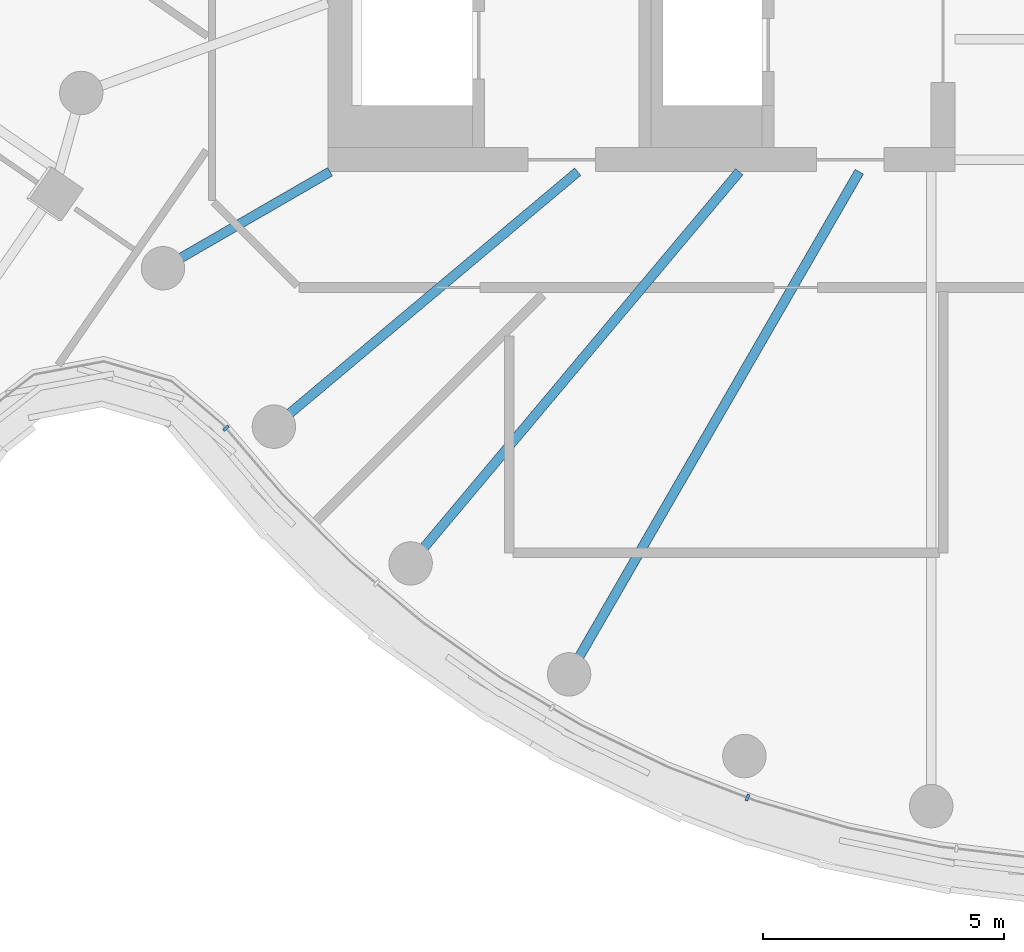
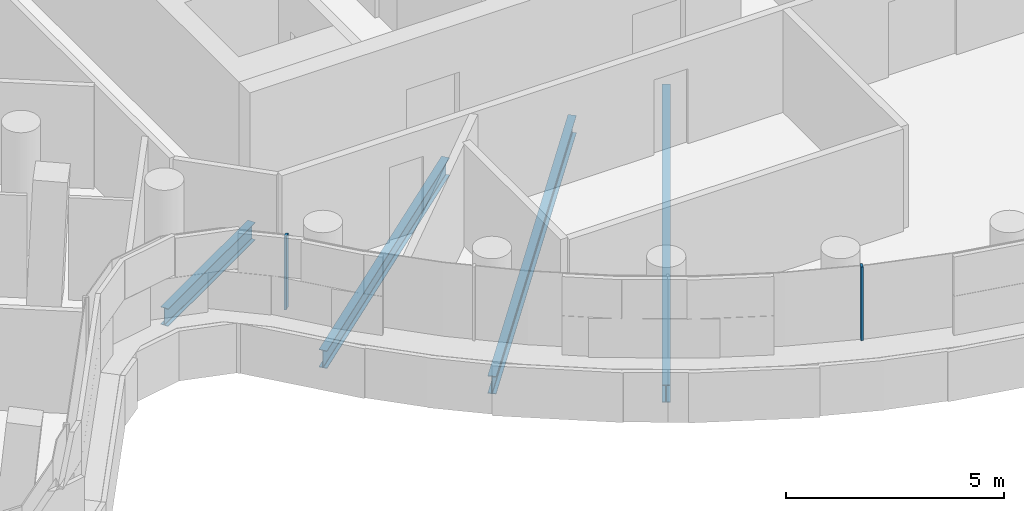
# One storey, part 3 of 26: 4 beams, 2 members, 1 element without a shape of its own.
"""IFC4 building model written with IfcOpenShell, lengths in metres."""

from ifc_helpers import new_model, si_unit, direction, frame, origin, origin_2d, place, context, subcontext, project, spatial, rectangle, i_section, extrude, material, layer, layer_set, material_profile, profile_set, type_object, element, aggregate, save


model = new_model("IFC4")

# Units and contexts
model_context = context("Model", 3, precision=1e-05, world=origin(), true_north=direction((0.0, 1.0)))
body_context = subcontext(model_context, "Body", "Model", "MODEL_VIEW")
ifc_project = project(units=[si_unit("LENGTHUNIT", "METRE"), si_unit("AREAUNIT", "SQUARE_METRE"), si_unit("VOLUMEUNIT", "CUBIC_METRE"), si_unit("PLANEANGLEUNIT", "RADIAN"), si_unit("MASSUNIT", "GRAM", prefix="KILO")], contexts=[model_context])

# Site, building, storey
site_placement = place(None, origin())
site = spatial("IfcSite", under=ifc_project, at=site_placement, CompositionType="ELEMENT")
building_placement = place(site_placement, origin())
building = spatial("IfcBuilding", under=site, at=building_placement, Name="Tamarind Cross Interchange Tower", CompositionType="ELEMENT")
storey_placement = place(building_placement, frame((0.0, 0.0, 234.300048828125)))
storey = spatial("IfcBuildingStorey", under=building, at=storey_placement, Name="L59", CompositionType="ELEMENT", Elevation=234.300048828125)

# Beams
ifc_material_1 = material(Name="Steel Q355B", Category="steel")
ifc_material_profile_1 = material_profile(ifc_material_1, i_section(OverallWidth=0.198974609375, OverallDepth=0.49609375, WebThickness=0.009033203125, FlangeThickness=0.013916015625, FilletRadius=0.012939453125, at=origin_2d()), Name="HN 496x199x9x14")
ifc_profile_set_1 = profile_set([ifc_material_profile_1], Name="Steel Q355B")
beam_type = type_object("IfcBeamType", Name="Composite beam HN 496x199x9x14 Q355B", PredefinedType="BEAM", material=ifc_profile_set_1)
beam_1_placement = place(storey_placement, frame((-19.918701171875, -11.5, -0.387939453125), z_axis=(0.866026010844, 0.49999894854, 0.0), x_axis=(-0.49999894854, 0.866026010844, 0.0)))
element("IfcBeam", 1, at=beam_1_placement, inside=storey, type_object=beam_type, Name="Beam HH21", PredefinedType="BEAM", context=body_context, shape_type="SweptSolid", body=[
    extrude(i_section(OverallWidth=0.198974609375, OverallDepth=0.49609375, WebThickness=0.009033203125, FlangeThickness=0.013916015625, FilletRadius=0.012939453125, at=origin_2d()), origin(), (0.0, 0.0, 1.0), 4.0),
])
beam_2_placement = place(storey_placement, frame((-17.619140625, -14.7841796875, -0.387939453125), z_axis=(0.766040580814, 0.642792212574, 0.0), x_axis=(-0.642792212574, 0.766040580814, 0.0)))
element("IfcBeam", 2, at=beam_2_placement, inside=storey, type_object=beam_type, Name="Beam HH22", PredefinedType="BEAM", context=body_context, shape_type="SweptSolid", body=[
    extrude(i_section(OverallWidth=0.198974609375, OverallDepth=0.49609375, WebThickness=0.009033203125, FlangeThickness=0.013916015625, FilletRadius=0.012939453125, at=origin_2d()), origin(), (0.0, 0.0, 1.0), 8.220703125),
])
beam_3_placement = place(storey_placement, frame((-14.7841796875, -17.619140625, -0.387939453125), z_axis=(0.642786293979, 0.766045547127, 0.0), x_axis=(-0.766045547127, 0.642786293979, 0.0)))
element("IfcBeam", 3, at=beam_3_placement, inside=storey, type_object=beam_type, Name="Beam HH23", PredefinedType="BEAM", context=body_context, shape_type="SweptSolid", body=[
    extrude(i_section(OverallWidth=0.198974609375, OverallDepth=0.49609375, WebThickness=0.009033203125, FlangeThickness=0.013916015625, FilletRadius=0.012939453125, at=origin_2d()), origin(), (0.0, 0.0, 1.0), 10.598876953125),
])
beam_4_placement = place(storey_placement, frame((-11.5, -19.918701171875, -0.387939453125), z_axis=(0.499993565836, 0.866029118519, 0.0), x_axis=(-0.866029118519, 0.499993565836, 0.0)))
element("IfcBeam", 4, at=beam_4_placement, inside=storey, type_object=beam_type, Name="Beam HH24", PredefinedType="BEAM", context=body_context, shape_type="SweptSolid", body=[
    extrude(i_section(OverallWidth=0.198974609375, OverallDepth=0.49609375, WebThickness=0.009033203125, FlangeThickness=0.013916015625, FilletRadius=0.012939453125, at=origin_2d()), origin(), (0.0, 0.0, 1.0), 12.030517578125),
])

# Curtain wall, members
ifc_material_2 = material(Name="Aluminium 6063-T6", Category="aluminium")
ifc_layer = layer(ifc_material_2, 0.139892578125)
ifc_layer_set = layer_set([ifc_layer], Name="Aluminium 6063-T6")
curtain_wall_type = type_object("IfcCurtainWallType", Name="Hotel curtain wall, 4.5 m bays", PredefinedType="NOTDEFINED", material=ifc_layer_set)
curtain_wall_placement = place(storey_placement, origin())
curtain_wall = element("IfcCurtainWall", 5, at=curtain_wall_placement, inside=storey, type_object=curtain_wall_type, Name="CWS-L59-02", PredefinedType="NOTDEFINED")
ifc_material_profile_2 = material_profile(ifc_material_2, rectangle(XDim=0.06005859375, YDim=0.139892578125, at=origin_2d()), Name="Mullion CW2")
ifc_profile_set_2 = profile_set([ifc_material_profile_2], Name="Aluminium 6063-T6")
member_type = type_object("IfcMemberType", Name="Mullion CW2", PredefinedType="MULLION", material=ifc_profile_set_2)
member_1_placement = place(storey_placement, frame((-18.613037109375, -14.816162109375, 1.39990234375), z_axis=(0.0, 0.0, 1.0), x_axis=(0.649701191514, -0.760189688003, 0.0)))
member_1 = element("IfcMember", 6, at=member_1_placement, type_object=member_type, Name="CWM-L59-02-01", PredefinedType="MULLION", context=body_context, shape_type="SweptSolid", body=[
    extrude(rectangle(XDim=0.06005859375, YDim=0.139892578125, at=origin_2d()), origin(), (0.0, 0.0, 1.0), 2.06005859375),
])
member_2_placement = place(storey_placement, frame((-7.802734375, -22.472900390625, 1.39990234375), z_axis=(0.0, 0.0, 1.0), x_axis=(0.933146843667, -0.359495435512, 0.0)))
member_2 = element("IfcMember", 7, at=member_2_placement, type_object=member_type, Name="CWM-L59-02-04", PredefinedType="MULLION", context=body_context, shape_type="SweptSolid", body=[
    extrude(rectangle(XDim=0.06005859375, YDim=0.139892578125, at=origin_2d()), origin(), (0.0, 0.0, 1.0), 2.06005859375),
])
aggregate(curtain_wall, [member_1, member_2])

save(model, "model.ifc")
